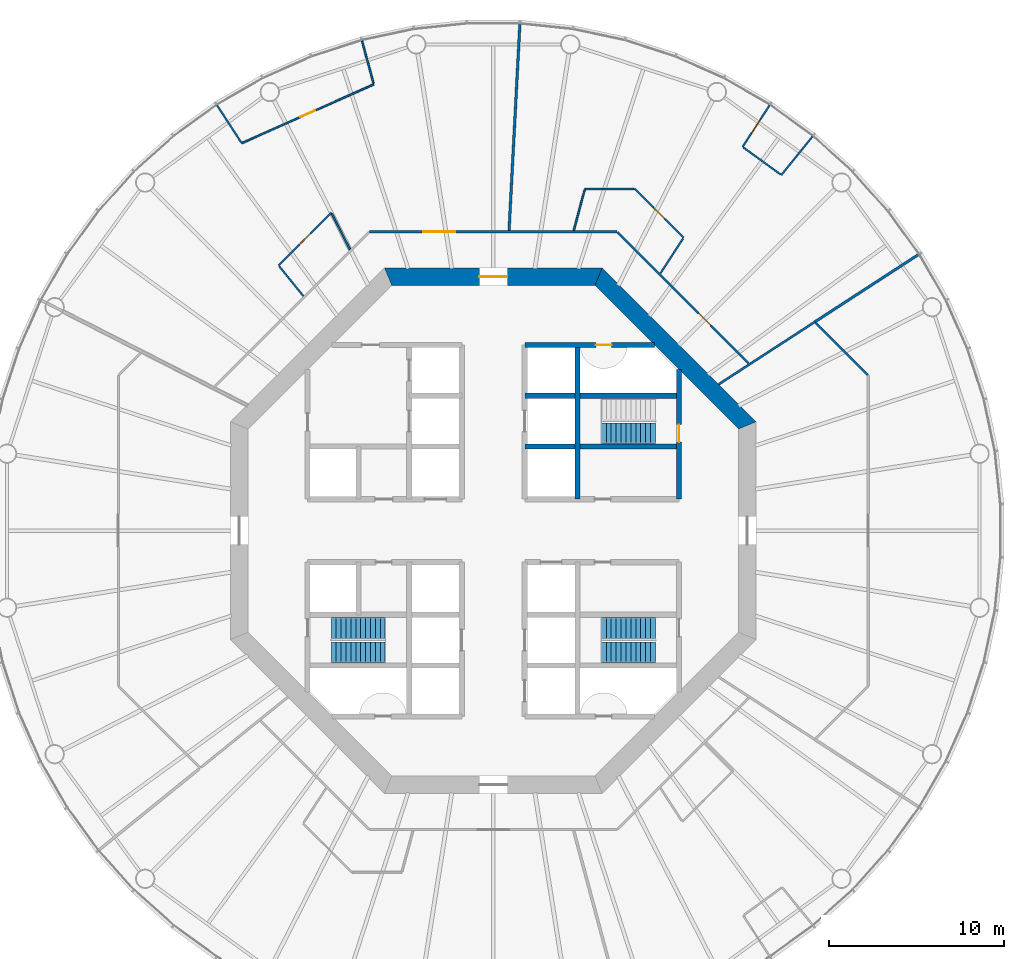
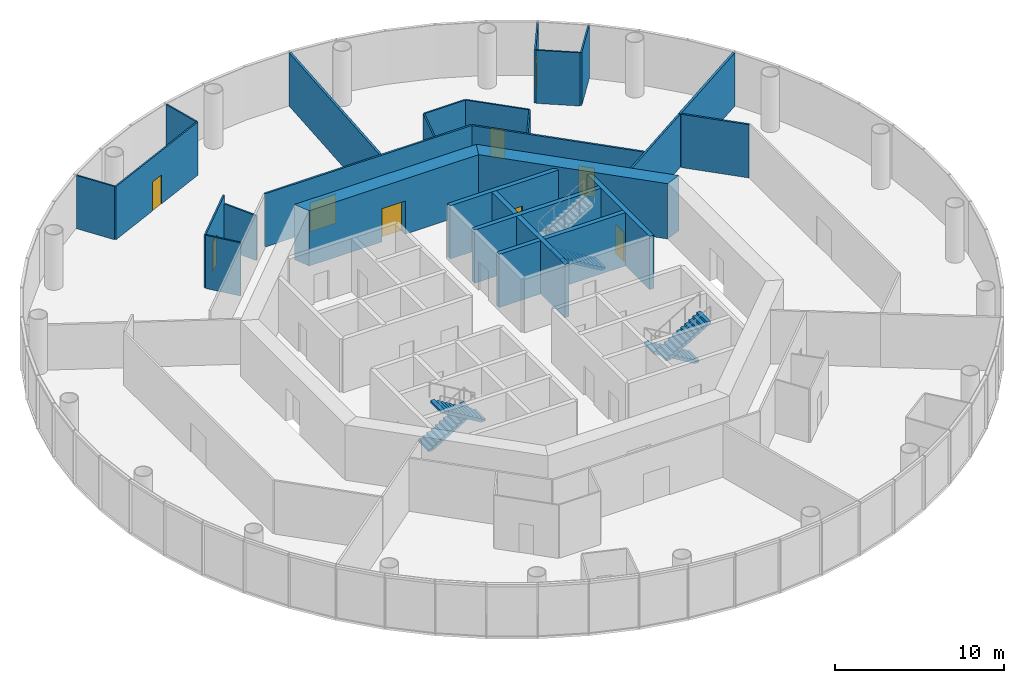
# One storey, part 5 of 13: 26 walls, 9 doors, 5 stair flights, 9 openings, 3 elements without a shape of their own.
"""IFC4 building model written with IfcOpenShell, lengths in metres."""

from ifc_helpers import new_model, si_unit, direction, frame, frame_2d, origin, place, context, subcontext, project, spatial, polyline, rectangle, outline, extrude, material, layer, layer_set, type_object, element, fill, aggregate, save


model = new_model("IFC4")

# Units and contexts
model_context = context("Model", 3, precision=1e-05, world=origin(), true_north=direction((0.0, 1.0)))
body_context = subcontext(model_context, "Body", "Model", "MODEL_VIEW")
ifc_project = project(units=[si_unit("LENGTHUNIT", "METRE"), si_unit("AREAUNIT", "SQUARE_METRE"), si_unit("VOLUMEUNIT", "CUBIC_METRE"), si_unit("PLANEANGLEUNIT", "RADIAN"), si_unit("MASSUNIT", "GRAM", prefix="KILO")], contexts=[model_context])

# Site, building, storey
site_placement = place(None, origin())
site = spatial("IfcSite", under=ifc_project, at=site_placement, CompositionType="ELEMENT")
building_placement = place(site_placement, origin())
building = spatial("IfcBuilding", under=site, at=building_placement, Name="Entoto Ring Tower", CompositionType="ELEMENT")
storey_placement = place(building_placement, frame((0.0, 0.0, 172.0)))
storey = spatial("IfcBuildingStorey", under=building, at=storey_placement, Name="L39", CompositionType="ELEMENT", Elevation=172.0)

# Wall, opening, door
ifc_material_1 = material(Name="Concrete C40/50", Category="concrete")
ifc_layer_1 = layer(ifc_material_1, 0.300048828125)
ifc_layer_set_1 = layer_set([ifc_layer_1], Name="Concrete C40/50")
wall_type_1 = type_object("IfcWallType", Name="Core enclosure wall 300 mm reinforced concrete", PredefinedType="SOLIDWALL", material=ifc_layer_set_1)
wall_1_placement = place(storey_placement, frame((100.60009765625, 81.800048828125, 0.0), z_axis=(0.0, 0.0, 1.0), x_axis=(0.0, 1.0, 0.0)))
wall_1 = element("IfcWall", 1, at=wall_1_placement, inside=storey, type_object=wall_type_1, Name="wall-L39-002", PredefinedType="SOLIDWALL", context=body_context, shape_type="SweptSolid", body=[
    extrude(rectangle(XDim=7.39892578125, YDim=0.300048828125, at=frame_2d((3.699462890625, 0.0))), origin(), (0.0, 0.0, 1.0), 3.85009765625),
])
opening_1_placement = place(wall_1_placement, frame((3.25, 0.0, 0.0)))
opening_1 = element("IfcOpeningElement", 2, at=opening_1_placement, cuts=wall_1, Name="Opening K-52", PredefinedType="OPENING", context=body_context, shape_type="SweptSolid", body=[
    extrude(rectangle(XDim=1.0, YDim=2.10009765625, at=frame_2d((0.5, 1.050048828125))), frame((0.0, 0.16015625, 0.0), z_axis=(0.0, -1.0, 0.0), x_axis=(1.0, 0.0, 0.0)), (0.0, 0.0, 1.0), 0.320068359375),
])
ifc_material_2 = material(Name="Steel door leaf, fire rated", Category="steel")
ifc_layer_2 = layer(ifc_material_2, 0.050048828125)
ifc_layer_set_2 = layer_set([ifc_layer_2], Name="Steel door leaf, fire rated")
door_type_1 = type_object("IfcDoorType", Name="Fire door FD60 1000 x 2100 single leaf", OperationType="NOTDEFINED", PredefinedType="DOOR", material=ifc_layer_set_2)
door_1_placement = place(opening_1_placement, origin())
door_1 = element("IfcDoor", 3, at=door_1_placement, inside=storey, type_object=door_type_1, Name="Door K-52", OperationType="SINGLE_SWING_LEFT", OverallHeight=2.10009765625, OverallWidth=1.0, PredefinedType="DOOR", context=body_context, shape_type="SweptSolid", body=[
    extrude(rectangle(XDim=1.0, YDim=2.10009765625, at=frame_2d((0.5, 1.050048828125))), frame((0.0, 0.02490234375, 0.0), z_axis=(0.0, -1.0, 0.0), x_axis=(1.0, 0.0, 0.0)), (0.0, 0.0, 1.0), 0.050048828125),
])
fill(opening_1, door_1)

# Walls
for number, where, z_axis, x_axis, name in (
    (4, (94.800048828125, 81.800048828125, 0.0), (0.0, 0.0, 1.0), (0.0, 1.0, 0.0), "wall-L39-004"),
    (5, (91.800048828125, 84.800048828125, 0.0), (0.0, 0.0, 1.0), (1.0, 0.0, 0.0), "wall-L39-026"),
    (6, (91.800048828125, 87.699951171875, 0.0), (0.0, 0.0, 1.0), (1.0, 0.0, 0.0), "wall-L39-028"),
):
    element("IfcWall", number, at=place(storey_placement, frame(where, z_axis=z_axis, x_axis=x_axis)), inside=storey, type_object=wall_type_1, Name=name, PredefinedType="SOLIDWALL", context=body_context, shape_type="SweptSolid", body=[
        extrude(rectangle(XDim=8.800048828125, YDim=0.300048828125, at=frame_2d((4.39990234375, 0.0))), origin(), (0.0, 0.0, 1.0), 3.85009765625),
    ])

# Wall, opening, door
wall_2_placement = place(storey_placement, frame((91.800048828125, 90.60009765625, 0.0), z_axis=(0.0, 0.0, 1.0), x_axis=(1.0, 0.0, 0.0)))
wall_2 = element("IfcWall", 7, at=wall_2_placement, inside=storey, type_object=wall_type_1, Name="wall-L39-030", PredefinedType="SOLIDWALL", context=body_context, shape_type="SweptSolid", body=[
    extrude(rectangle(XDim=7.39892578125, YDim=0.300048828125, at=frame_2d((3.699462890625, 0.0))), origin(), (0.0, 0.0, 1.0), 3.85009765625),
])
opening_2_placement = place(wall_2_placement, frame((4.050048828125, 0.0, 0.0)))
opening_2 = element("IfcOpeningElement", 8, at=opening_2_placement, cuts=wall_2, Name="Opening K-60", PredefinedType="OPENING", context=body_context, shape_type="SweptSolid", body=[
    extrude(rectangle(XDim=0.89990234375, YDim=2.10009765625, at=frame_2d((0.449951171875, 1.050048828125))), frame((0.0, 0.16015625, 0.0), z_axis=(0.0, -1.0, 0.0), x_axis=(1.0, 0.0, 0.0)), (0.0, 0.0, 1.0), 0.320068359375),
])
ifc_material_3 = material(Name="Steel door leaf, fire rated", Category="steel")
ifc_layer_3 = layer(ifc_material_3, 0.050048828125)
ifc_layer_set_3 = layer_set([ifc_layer_3], Name="Steel door leaf, fire rated")
door_type_2 = type_object("IfcDoorType", Name="Riser door FD60 900 x 2100 single leaf", OperationType="NOTDEFINED", PredefinedType="DOOR", material=ifc_layer_set_3)
door_2_placement = place(opening_2_placement, frame((0.89990234375, 0.0, 0.0), z_axis=(0.0, 0.0, 1.0), x_axis=(-1.0, 0.0, 0.0)))
door_2 = element("IfcDoor", 9, at=door_2_placement, inside=storey, type_object=door_type_2, Name="Door K-60", OperationType="SINGLE_SWING_RIGHT", OverallHeight=2.10009765625, OverallWidth=0.89990234375, PredefinedType="DOOR", context=body_context, shape_type="SweptSolid", body=[
    extrude(rectangle(XDim=0.89990234375, YDim=2.10009765625, at=frame_2d((0.449951171875, 1.050048828125))), frame((0.0, 0.02490234375, 0.0), z_axis=(0.0, -1.0, 0.0), x_axis=(1.0, 0.0, 0.0)), (0.0, 0.0, 1.0), 0.050048828125),
])
fill(opening_2, door_2)

# Wall
ifc_material_4 = material(Name="Concrete C50/60", Category="concrete")
ifc_layer_4 = layer(ifc_material_4, 1.0)
ifc_layer_set_4 = layer_set([ifc_layer_4], Name="Concrete C50/60")
wall_type_2 = type_object("IfcWallType", Name="Core shear wall 1000 mm reinforced concrete C50/60", PredefinedType="SHEAR", material=ifc_layer_set_4)
wall_3_placement = place(storey_placement, frame((104.5, 86.006103515625, 0.0), z_axis=(0.0, 0.0, 1.0), x_axis=(-0.707106781187, 0.707106781187, 0.0)))
element("IfcWall", 10, at=wall_3_placement, inside=storey, type_object=wall_type_2, Name="wall-L39-core-1", PredefinedType="SHEAR", context=body_context, shape_type="SweptSolid", body=[
    extrude(outline(polyline([(-0.20703125, -0.5), (12.21923828125, -0.5), (11.80517578125, 0.5), (0.20703125, 0.5), (-0.20703125, -0.5)])), origin(), (0.0, 0.0, 1.0), 4.0),
])

# Wall, opening, door
wall_4_placement = place(storey_placement, frame((96.006103515625, 94.5, 0.0), z_axis=(0.0, 0.0, 1.0), x_axis=(-1.0, 0.0, 0.0)))
wall_4 = element("IfcWall", 11, at=wall_4_placement, inside=storey, type_object=wall_type_2, Name="wall-L39-core-2", PredefinedType="SHEAR", context=body_context, shape_type="SweptSolid", body=[
    extrude(outline(polyline([(-0.20703125, -0.5), (12.21923828125, -0.5), (11.80517578125, 0.5), (0.20703125, 0.5), (-0.20703125, -0.5)])), origin(), (0.0, 0.0, 1.0), 4.0),
])
opening_3_placement = place(wall_4_placement, frame((5.2060546875, 0.0, 0.0)))
opening_3 = element("IfcOpeningElement", 12, at=opening_3_placement, cuts=wall_4, Name="Opening K-02", PredefinedType="OPENING", context=body_context, shape_type="SweptSolid", body=[
    extrude(rectangle(XDim=1.60009765625, YDim=2.39990234375, at=frame_2d((0.800048828125, 1.199951171875))), frame((0.0, 0.510009765625, 0.0), z_axis=(0.0, -1.0, 0.0), x_axis=(1.0, 0.0, 0.0)), (0.0, 0.0, 1.0), 1.02001953125),
])
ifc_material_5 = material(Name="Steel door leaf, fire rated", Category="steel")
ifc_layer_5 = layer(ifc_material_5, 0.050048828125)
ifc_layer_set_5 = layer_set([ifc_layer_5], Name="Steel door leaf, fire rated")
door_type_3 = type_object("IfcDoorType", Name="Entrance door FD60 1600 x 2400 double leaf", OperationType="DOUBLE_DOOR_SINGLE_SWING", PredefinedType="DOOR", material=ifc_layer_set_5)
door_3_placement = place(opening_3_placement, origin())
door_3 = element("IfcDoor", 13, at=door_3_placement, inside=storey, type_object=door_type_3, Name="Entrance door K-02", OperationType="DOUBLE_DOOR_SINGLE_SWING", OverallHeight=2.39990234375, OverallWidth=1.60009765625, PredefinedType="DOOR", context=body_context, shape_type="SweptSolid", body=[
    extrude(rectangle(XDim=1.60009765625, YDim=2.39990234375, at=frame_2d((0.800048828125, 1.199951171875))), frame((0.0, 0.02490234375, 0.0), z_axis=(0.0, -1.0, 0.0), x_axis=(1.0, 0.0, 0.0)), (0.0, 0.0, 1.0), 0.050048828125),
])
fill(opening_3, door_3)

ifc_material_6 = material(Name="Fire-resisting plasterboard on steel studs", Category="steel")
ifc_layer_6 = layer(ifc_material_6, 0.125)
ifc_layer_set_6 = layer_set([ifc_layer_6], Name="Fire-resisting plasterboard on steel studs")
wall_type_3 = type_object("IfcWallType", Name="Corridor wall 125 mm one-hour plasterboard on steel studs", PredefinedType="PARTITIONING", material=ifc_layer_set_6)
wall_5_placement = place(storey_placement, frame((82.9326171875, 97.0625, 0.0), z_axis=(0.0, 0.0, 1.0), x_axis=(1.0, 0.0, 0.0)))
wall_5 = element("IfcWall", 14, at=wall_5_placement, inside=storey, type_object=wall_type_3, Name="partition-L39-004", PredefinedType="PARTITIONING", context=body_context, shape_type="SweptSolid", body=[
    extrude(rectangle(XDim=14.134765625, YDim=0.125, at=frame_2d((7.0673828125, 0.0))), origin(), (0.0, 0.0, 1.0), 3.85009765625),
])
opening_4_placement = place(wall_5_placement, frame((3.080810546875, 0.0, 0.0)))
opening_4 = element("IfcOpeningElement", 15, at=opening_4_placement, cuts=wall_5, Name="Opening A17-D06", PredefinedType="OPENING", context=body_context, shape_type="SweptSolid", body=[
    extrude(rectangle(XDim=1.800048828125, YDim=2.10009765625, at=frame_2d((0.89990234375, 1.050048828125))), frame((0.0, 0.072509765625, 0.0), z_axis=(0.0, -1.0, 0.0), x_axis=(1.0, 0.0, 0.0)), (0.0, 0.0, 1.0), 0.14501953125),
])
ifc_material_7 = material(Name="Fire-resisting timber door set", Category="wood")
door_type_4 = type_object("IfcDoorType", Name="Door 1800 x 2100 double leaf FD30S fire door", OperationType="DOUBLE_DOOR_SINGLE_SWING", PredefinedType="DOOR", material=ifc_material_7)
door_4_placement = place(opening_4_placement, origin())
door_4 = element("IfcDoor", 16, at=door_4_placement, inside=storey, type_object=door_type_4, Name="Door A17-D06", OperationType="DOUBLE_DOOR_SINGLE_SWING", OverallHeight=2.10009765625, OverallWidth=1.800048828125, PredefinedType="DOOR", context=body_context, shape_type="SweptSolid", body=[
    extrude(rectangle(XDim=1.800048828125, YDim=2.10009765625, at=frame_2d((0.89990234375, 1.050048828125))), frame((0.0, 0.02490234375, 0.0), z_axis=(0.0, -1.0, 0.0), x_axis=(1.0, 0.0, 0.0)), (0.0, 0.0, 1.0), 0.050048828125),
])
fill(opening_4, door_4)

wall_6_placement = place(storey_placement, frame((104.574951171875, 89.554931640625, 0.0), z_axis=(0.0, 0.0, 1.0), x_axis=(-0.707095235926, 0.707118326258, 0.0)))
wall_6 = element("IfcWall", 17, at=wall_6_placement, inside=storey, type_object=wall_type_3, Name="partition-L39-007", PredefinedType="PARTITIONING", context=body_context, shape_type="SweptSolid", body=[
    extrude(rectangle(XDim=10.5732421875, YDim=0.125, at=frame_2d((5.28662109375, 0.0))), origin(), (0.0, 0.0, 1.0), 3.85009765625),
])
opening_5_placement = place(wall_6_placement, frame((3.0498046875, 0.0, 0.0)))
opening_5 = element("IfcOpeningElement", 18, at=opening_5_placement, cuts=wall_6, Name="Opening A17-D03", PredefinedType="OPENING", context=body_context, shape_type="SweptSolid", body=[
    extrude(rectangle(XDim=1.0, YDim=2.10009765625, at=frame_2d((0.5, 1.050048828125))), frame((0.0, 0.072509765625, 0.0), z_axis=(0.0, -1.0, 0.0), x_axis=(1.0, 0.0, 0.0)), (0.0, 0.0, 1.0), 0.14501953125),
])
ifc_material_8 = material(Name="Fire-resisting timber door set", Category="wood")
door_type_5 = type_object("IfcDoorType", Name="Door 1000 x 2100 single leaf FD30S fire door", OperationType="NOTDEFINED", PredefinedType="DOOR", material=ifc_material_8)
door_5_placement = place(opening_5_placement, frame((1.0, 0.0, 0.0), z_axis=(0.0, 0.0, 1.0), x_axis=(-1.0, 0.0, 0.0)))
door_5 = element("IfcDoor", 19, at=door_5_placement, inside=storey, type_object=door_type_5, Name="Door A17-D03", OperationType="SINGLE_SWING_LEFT", OverallHeight=2.10009765625, OverallWidth=1.0, PredefinedType="DOOR", context=body_context, shape_type="SweptSolid", body=[
    extrude(rectangle(XDim=1.0, YDim=2.10009765625, at=frame_2d((0.5, 1.050048828125))), frame((0.0, 0.02490234375, 0.0), z_axis=(0.0, -1.0, 0.0), x_axis=(1.0, 0.0, 0.0)), (0.0, 0.0, 1.0), 0.050048828125),
])
fill(opening_5, door_5)

# Walls
wall_7_placement = place(storey_placement, frame((102.861083984375, 88.35205078125, 0.0), z_axis=(0.0, 0.0, 1.0), x_axis=(0.838666042477, 0.544646003561, 0.0)))
element("IfcWall", 20, at=wall_7_placement, inside=storey, type_object=wall_type_3, Name="partition-L39-011", PredefinedType="PARTITIONING", context=body_context, shape_type="SweptSolid", body=[
    extrude(rectangle(XDim=6.543212890625, YDim=0.125, at=frame_2d((3.271484375, 0.0))), origin(), (0.0, 0.0, 1.0), 3.85009765625),
])
wall_8_placement = place(storey_placement, frame((111.368896484375, 88.895263671875, 0.0), z_axis=(0.0, 0.0, 1.0), x_axis=(-0.707106781187, 0.707106781187, 0.0)))
element("IfcWall", 21, at=wall_8_placement, inside=storey, type_object=wall_type_3, Name="partition-L39-015", PredefinedType="PARTITIONING", context=body_context, shape_type="SweptSolid", body=[
    extrude(rectangle(XDim=4.181640625, YDim=0.125, at=frame_2d((2.0908203125, 0.0))), origin(), (0.0, 0.0, 1.0), 3.85009765625),
])

# Wall, opening, door
ifc_material_9 = material(Name="Plasterboard on steel studs", Category="steel")
ifc_layer_7 = layer(ifc_material_9, 0.10009765625)
ifc_layer_set_7 = layer_set([ifc_layer_7], Name="Plasterboard on steel studs")
wall_type_4 = type_object("IfcWallType", Name="Partition 100 mm plasterboard on steel studs", PredefinedType="PARTITIONING", material=ifc_layer_set_7)
wall_9_placement = place(storey_placement, frame((75.637939453125, 102.11572265625, 0.0), z_axis=(0.0, 0.0, 1.0), x_axis=(0.913541661289, 0.40674516972, 0.0)))
wall_9 = element("IfcWall", 22, at=wall_9_placement, inside=storey, type_object=wall_type_4, Name="partition-L39-023", PredefinedType="PARTITIONING", context=body_context, shape_type="SweptSolid", body=[
    extrude(rectangle(XDim=8.250244140625, YDim=0.10009765625, at=frame_2d((4.125, 0.0))), origin(), (0.0, 0.0, 1.0), 3.85009765625),
])
opening_6_placement = place(wall_9_placement, frame((3.67529296875, 0.0, 0.0)))
opening_6 = element("IfcOpeningElement", 23, at=opening_6_placement, cuts=wall_9, Name="Opening A17-D08", PredefinedType="OPENING", context=body_context, shape_type="SweptSolid", body=[
    extrude(rectangle(XDim=0.89990234375, YDim=2.10009765625, at=frame_2d((0.449951171875, 1.050048828125))), frame((0.0, 0.06005859375, 0.0), z_axis=(0.0, -1.0, 0.0), x_axis=(1.0, 0.0, 0.0)), (0.0, 0.0, 1.0), 0.1201171875),
])
ifc_material_10 = material(Name="Veneered timber door leaf in timber frame", Category="wood")
door_type_6 = type_object("IfcDoorType", Name="Door 900 x 2100 single leaf timber veneer", OperationType="NOTDEFINED", PredefinedType="DOOR", material=ifc_material_10)
door_6_placement = place(opening_6_placement, origin())
door_6 = element("IfcDoor", 24, at=door_6_placement, inside=storey, type_object=door_type_6, Name="Door A17-D08", OperationType="SINGLE_SWING_RIGHT", OverallHeight=2.10009765625, OverallWidth=0.89990234375, PredefinedType="DOOR", context=body_context, shape_type="SweptSolid", body=[
    extrude(rectangle(XDim=0.89990234375, YDim=2.10009765625, at=frame_2d((0.449951171875, 1.050048828125))), frame((0.0, 0.02490234375, 0.0), z_axis=(0.0, -1.0, 0.0), x_axis=(1.0, 0.0, 0.0)), (0.0, 0.0, 1.0), 0.050048828125),
])
fill(opening_6, door_6)

wall_10_placement = place(storey_placement, frame((77.7412109375, 95.13818359375, 0.0), z_axis=(0.0, 0.0, 1.0), x_axis=(0.707106781187, 0.707106781187, 0.0)))
wall_10 = element("IfcWall", 25, at=wall_10_placement, inside=storey, type_object=wall_type_4, Name="partition-L39-024", PredefinedType="PARTITIONING", context=body_context, shape_type="SweptSolid", body=[
    extrude(rectangle(XDim=4.258544921875, YDim=0.10009765625, at=frame_2d((2.12939453125, 0.0))), origin(), (0.0, 0.0, 1.0), 3.85009765625),
])
opening_7_placement = place(wall_10_placement, frame((1.67919921875, 0.0, 0.0)))
opening_7 = element("IfcOpeningElement", 26, at=opening_7_placement, cuts=wall_10, Name="Opening A17-D07", PredefinedType="OPENING", context=body_context, shape_type="SweptSolid", body=[
    extrude(rectangle(XDim=0.89990234375, YDim=2.10009765625, at=frame_2d((0.449951171875, 1.050048828125))), frame((0.0, 0.06005859375, 0.0), z_axis=(0.0, -1.0, 0.0), x_axis=(1.0, 0.0, 0.0)), (0.0, 0.0, 1.0), 0.1201171875),
])
door_7_placement = place(opening_7_placement, frame((0.89990234375, 0.0, 0.0), z_axis=(0.0, 0.0, 1.0), x_axis=(-1.0, 0.0, 0.0)))
door_7 = element("IfcDoor", 27, at=door_7_placement, inside=storey, type_object=door_type_6, Name="Door A17-D07", OperationType="SINGLE_SWING_LEFT", OverallHeight=2.10009765625, OverallWidth=0.89990234375, PredefinedType="DOOR", context=body_context, shape_type="SweptSolid", body=[
    extrude(rectangle(XDim=0.89990234375, YDim=2.10009765625, at=frame_2d((0.449951171875, 1.050048828125))), frame((0.0, 0.02490234375, 0.0), z_axis=(0.0, -1.0, 0.0), x_axis=(1.0, 0.0, 0.0)), (0.0, 0.0, 1.0), 0.050048828125),
])
fill(opening_7, door_7)

wall_11_placement = place(storey_placement, frame((100.859130859375, 96.7216796875, 0.0), z_axis=(0.0, 0.0, 1.0), x_axis=(-0.707137819827, 0.707075741184, 0.0)))
wall_11 = element("IfcWall", 28, at=wall_11_placement, inside=storey, type_object=wall_type_4, Name="partition-L39-026", PredefinedType="PARTITIONING", context=body_context, shape_type="SweptSolid", body=[
    extrude(rectangle(XDim=3.932861328125, YDim=0.10009765625, at=frame_2d((1.96630859375, 0.0))), origin(), (0.0, 0.0, 1.0), 3.85009765625),
])
opening_8_placement = place(wall_11_placement, frame((1.516357421875, 0.0, 0.0)))
opening_8 = element("IfcOpeningElement", 29, at=opening_8_placement, cuts=wall_11, Name="Opening A17-D04", PredefinedType="OPENING", context=body_context, shape_type="SweptSolid", body=[
    extrude(rectangle(XDim=0.89990234375, YDim=2.10009765625, at=frame_2d((0.449951171875, 1.050048828125))), frame((0.0, 0.06005859375, 0.0), z_axis=(0.0, -1.0, 0.0), x_axis=(1.0, 0.0, 0.0)), (0.0, 0.0, 1.0), 0.1201171875),
])
door_8_placement = place(opening_8_placement, origin())
door_8 = element("IfcDoor", 30, at=door_8_placement, inside=storey, type_object=door_type_6, Name="Door A17-D04", OperationType="SINGLE_SWING_LEFT", OverallHeight=2.10009765625, OverallWidth=0.89990234375, PredefinedType="DOOR", context=body_context, shape_type="SweptSolid", body=[
    extrude(rectangle(XDim=0.89990234375, YDim=2.10009765625, at=frame_2d((0.449951171875, 1.050048828125))), frame((0.0, 0.02490234375, 0.0), z_axis=(0.0, -1.0, 0.0), x_axis=(1.0, 0.0, 0.0)), (0.0, 0.0, 1.0), 0.050048828125),
])
fill(opening_8, door_8)

# Wall
wall_12_placement = place(storey_placement, frame((95.2255859375, 99.50244140625, 0.0), z_axis=(0.0, 0.0, 1.0), x_axis=(1.0, 0.0, 0.0)))
element("IfcWall", 31, at=wall_12_placement, inside=storey, type_object=wall_type_4, Name="partition-L39-028", PredefinedType="PARTITIONING", context=body_context, shape_type="SweptSolid", body=[
    extrude(rectangle(XDim=2.817626953125, YDim=0.10009765625, at=frame_2d((1.40869140625, 0.0))), origin(), (0.0, 0.0, 1.0), 3.85009765625),
])

# Wall, opening, door
wall_13_placement = place(storey_placement, frame((104.22607421875, 101.906005859375, 0.0), z_axis=(0.0, 0.0, 1.0), x_axis=(0.544650522467, 0.838663107795, 0.0)))
wall_13 = element("IfcWall", 32, at=wall_13_placement, inside=storey, type_object=wall_type_4, Name="partition-L39-030", PredefinedType="PARTITIONING", context=body_context, shape_type="SweptSolid", body=[
    extrude(rectangle(XDim=2.820068359375, YDim=0.10009765625, at=frame_2d((1.41015625, 0.0))), origin(), (0.0, 0.0, 1.0), 3.85009765625),
])
opening_9_placement = place(wall_13_placement, frame((0.9599609375, 0.0, 0.0)))
opening_9 = element("IfcOpeningElement", 33, at=opening_9_placement, cuts=wall_13, Name="Opening A17-D05", PredefinedType="OPENING", context=body_context, shape_type="SweptSolid", body=[
    extrude(rectangle(XDim=0.89990234375, YDim=2.10009765625, at=frame_2d((0.449951171875, 1.050048828125))), frame((0.0, 0.06005859375, 0.0), z_axis=(0.0, -1.0, 0.0), x_axis=(1.0, 0.0, 0.0)), (0.0, 0.0, 1.0), 0.1201171875),
])
door_9_placement = place(opening_9_placement, frame((0.89990234375, 0.0, 0.0), z_axis=(0.0, 0.0, 1.0), x_axis=(-1.0, 0.0, 0.0)))
door_9 = element("IfcDoor", 34, at=door_9_placement, inside=storey, type_object=door_type_6, Name="Door A17-D05", OperationType="SINGLE_SWING_LEFT", OverallHeight=2.10009765625, OverallWidth=0.89990234375, PredefinedType="DOOR", context=body_context, shape_type="SweptSolid", body=[
    extrude(rectangle(XDim=0.89990234375, YDim=2.10009765625, at=frame_2d((0.449951171875, 1.050048828125))), frame((0.0, 0.02490234375, 0.0), z_axis=(0.0, -1.0, 0.0), x_axis=(1.0, 0.0, 0.0)), (0.0, 0.0, 1.0), 0.050048828125),
])
fill(opening_9, door_9)

# Walls
wall_14_placement = place(storey_placement, frame((106.437744140625, 100.299072265625, 0.0), z_axis=(0.0, 0.0, 1.0), x_axis=(0.629340183433, 0.777129933484, 0.0)))
element("IfcWall", 35, at=wall_14_placement, inside=storey, type_object=wall_type_4, Name="partition-L39-031", PredefinedType="PARTITIONING", context=body_context, shape_type="SweptSolid", body=[
    extrude(rectangle(XDim=2.81982421875, YDim=0.10009765625, at=frame_2d((1.409912109375, 0.0))), origin(), (0.0, 0.0, 1.0), 3.85009765625),
])
wall_15_placement = place(storey_placement, frame((106.3974609375, 100.328369140625, 0.0), z_axis=(0.0, 0.0, 1.0), x_axis=(-0.809016541614, 0.587785875463, 0.0)))
element("IfcWall", 36, at=wall_15_placement, inside=storey, type_object=wall_type_4, Name="partition-L39-036", PredefinedType="PARTITIONING", context=body_context, shape_type="SweptSolid", body=[
    extrude(rectangle(XDim=2.63427734375, YDim=0.10009765625, at=frame_2d((1.317138671875, 0.0))), origin(), (0.0, 0.0, 1.0), 3.85009765625),
])
for number, where, z_axis, x_axis, name in (
    (37, (75.611083984375, 102.156982421875, 0.0), (0.0, 0.0, 1.0), (-0.544692145423, 0.838636075252, 0.0), "partition-L39-039"),
    (38, (83.162109375, 105.51904296875, 0.0), (0.0, 0.0, 1.0), (-0.258795794032, 0.965932056095, 0.0), "partition-L39-040"),
):
    element("IfcWall", number, at=place(storey_placement, frame(where, z_axis=z_axis, x_axis=x_axis)), inside=storey, type_object=wall_type_4, Name=name, PredefinedType="PARTITIONING", context=body_context, shape_type="SweptSolid", body=[
        extrude(rectangle(XDim=2.520751953125, YDim=0.10009765625, at=frame_2d((1.26025390625, 0.0))), origin(), (0.0, 0.0, 1.0), 3.85009765625),
    ])
wall_16_placement = place(storey_placement, frame((94.592041015625, 97.1376953125, 0.0), z_axis=(0.0, 0.0, 1.0), x_axis=(0.258776761059, 0.965937155273, 0.0)))
element("IfcWall", 39, at=wall_16_placement, inside=storey, type_object=wall_type_4, Name="partition-L39-041", PredefinedType="PARTITIONING", context=body_context, shape_type="SweptSolid", body=[
    extrude(rectangle(XDim=2.400146484375, YDim=0.10009765625, at=frame_2d((1.2001953125, 0.0))), origin(), (0.0, 0.0, 1.0), 3.85009765625),
])
wall_17_placement = place(storey_placement, frame((99.541015625, 94.69189453125, 0.0), z_axis=(0.0, 0.0, 1.0), x_axis=(0.544633657849, 0.838674059893, 0.0)))
element("IfcWall", 40, at=wall_17_placement, inside=storey, type_object=wall_type_4, Name="partition-L39-043", PredefinedType="PARTITIONING", context=body_context, shape_type="SweptSolid", body=[
    extrude(rectangle(XDim=2.371337890625, YDim=0.10009765625, at=frame_2d((1.185546875, 0.0))), origin(), (0.0, 0.0, 1.0), 3.85009765625),
])
wall_18_placement = place(storey_placement, frame((79.16015625, 93.385986328125, 0.0), z_axis=(0.0, 0.0, 1.0), x_axis=(-0.629261932539, 0.777193296585, 0.0)))
element("IfcWall", 41, at=wall_18_placement, inside=storey, type_object=wall_type_4, Name="partition-L39-047", PredefinedType="PARTITIONING", context=body_context, shape_type="SweptSolid", body=[
    extrude(rectangle(XDim=2.204833984375, YDim=0.10009765625, at=frame_2d((1.1025390625, 0.0))), origin(), (0.0, 0.0, 1.0), 3.85009765625),
])
ifc_material_11 = material(Name="Plasterboard on steel studs", Category="steel")
ifc_layer_8 = layer(ifc_material_11, 0.10009765625)
ifc_layer_set_8 = layer_set([ifc_layer_8], Name="Plasterboard on steel studs")
wall_type_5 = type_object("IfcWallType", Name="Partition 100 mm plasterboard on steel studs, 3250 mm high", PredefinedType="PARTITIONING", material=ifc_layer_set_8)
wall_19_placement = place(storey_placement, frame((81.818115234375, 96.05810546875, 0.0), z_axis=(0.0, 0.0, 1.0), x_axis=(-0.454015670572, 0.890993698561, 0.0)))
element("IfcWall", 42, at=wall_19_placement, inside=storey, type_object=wall_type_5, Name="partition-L39-045", PredefinedType="PARTITIONING", context=body_context, shape_type="SweptSolid", body=[
    extrude(rectangle(XDim=2.2783203125, YDim=0.10009765625, at=frame_2d((1.13916015625, 0.0))), origin(), (0.0, 0.0, 1.0), 3.25),
])
ifc_material_12 = material(Name="Fire-resisting acoustic plasterboard on steel studs", Category="steel")
ifc_layer_9 = layer(ifc_material_12, 0.14990234375)
ifc_layer_set_9 = layer_set([ifc_layer_9], Name="Fire-resisting acoustic plasterboard on steel studs")
wall_type_6 = type_object("IfcWallType", Name="Party wall 150 mm one-hour acoustic plasterboard on steel studs", PredefinedType="PARTITIONING", material=ifc_layer_set_9)
wall_20_placement = place(storey_placement, frame((90.897705078125, 97.12890625, 0.0), z_axis=(0.0, 0.0, 1.0), x_axis=(0.052338156275, 0.998629419453, 0.0)))
element("IfcWall", 43, at=wall_20_placement, inside=storey, type_object=wall_type_6, Name="partition-L39-017", PredefinedType="PARTITIONING", context=body_context, shape_type="SweptSolid", body=[
    extrude(rectangle(XDim=11.78759765625, YDim=0.14990234375, at=frame_2d((5.893798828125, 0.0))), origin(), (0.0, 0.0, 1.0), 3.85009765625),
])
wall_21_placement = place(storey_placement, frame((108.35107421875, 91.917236328125, 0.0), z_axis=(0.0, 0.0, 1.0), x_axis=(0.83865216768, 0.544667367891, 0.0)))
element("IfcWall", 44, at=wall_21_placement, inside=storey, type_object=wall_type_6, Name="partition-L39-021", PredefinedType="PARTITIONING", context=body_context, shape_type="SweptSolid", body=[
    extrude(rectangle(XDim=7.058837890625, YDim=0.14990234375, at=frame_2d((3.529296875, 0.0))), origin(), (0.0, 0.0, 1.0), 3.85009765625),
])

# Stair, stair flight
ifc_material_13 = material(Name="Concrete C40/50", Category="concrete")
stair_type = type_object("IfcStairType", Name="Exit stair 1200 mm dog-leg reinforced concrete", PredefinedType="HALF_TURN_STAIR", material=ifc_material_13)
stair_1_placement = place(storey_placement, origin())
stair_1 = element("IfcStair", 45, at=stair_1_placement, inside=storey, type_object=stair_type, Name="Exit stair 1", PredefinedType="HALF_TURN_STAIR")
ifc_material_14 = material(Name="Concrete C40/50", Category="concrete")
stair_flight_type = type_object("IfcStairFlightType", Name="Stair flight 1200 mm reinforced concrete", PredefinedType="STRAIGHT", material=ifc_material_14)
stair_flight_1_placement = place(storey_placement, frame((99.25, 85.550048828125, 0.0), z_axis=(0.0, 0.0, 1.0), x_axis=(-1.0, 0.0, 0.0)))
stair_flight_1 = element("IfcStairFlight", 46, at=stair_flight_1_placement, type_object=stair_flight_type, Name="ST1 flight 1", NumberOfRisers=12, NumberOfTreads=11, PredefinedType="STRAIGHT", RiserHeight=0.166666667, TreadLength=0.28, context=body_context, shape_type="SweptSolid", body=[
    extrude(outline(polyline([(0.0, 0.0), (0.0, 0.166748046875), (0.280029296875, 0.166748046875), (0.280029296875, 0.333251953125), (0.56005859375, 0.333251953125), (0.56005859375, 0.5), (0.840087890625, 0.5), (0.840087890625, 0.666748046875), (1.1201171875, 0.666748046875), (1.1201171875, 0.833251953125), (1.39990234375, 0.833251953125), (1.39990234375, 1.0), (1.679931640625, 1.0), (1.679931640625, 1.166748046875), (1.9599609375, 1.166748046875), (1.9599609375, 1.333251953125), (2.239990234375, 1.333251953125), (2.239990234375, 1.5), (2.52001953125, 1.5), (2.52001953125, 1.666748046875), (2.800048828125, 1.666748046875), (2.800048828125, 1.833251953125), (3.080078125, 1.833251953125), (3.080078125, 2.0), (3.080078125, 1.658935546875), (0.29296875, 0.0), (0.0, 0.0)])), frame((0.0, 0.60009765625, 0.0), z_axis=(0.0, -1.0, 0.0), x_axis=(1.0, 0.0, 0.0)), (0.0, 0.0, 1.0), 1.199951171875),
])
aggregate(stair_1, [stair_flight_1])

# Stair, stair flights
stair_2_placement = place(storey_placement, origin())
stair_2 = element("IfcStair", 47, at=stair_2_placement, inside=storey, type_object=stair_type, Name="Exit stair 2", PredefinedType="HALF_TURN_STAIR")
stair_flight_2_placement = place(storey_placement, frame((80.75, 74.449951171875, 0.0), z_axis=(0.0, 0.0, 1.0), x_axis=(1.0, 0.0, 0.0)))
stair_flight_2 = element("IfcStairFlight", 48, at=stair_flight_2_placement, type_object=stair_flight_type, Name="ST2 flight 1", NumberOfRisers=12, NumberOfTreads=11, PredefinedType="STRAIGHT", RiserHeight=0.166666667, TreadLength=0.28, context=body_context, shape_type="SweptSolid", body=[
    extrude(outline(polyline([(0.0, 0.0), (0.0, 0.166748046875), (0.280029296875, 0.166748046875), (0.280029296875, 0.333251953125), (0.56005859375, 0.333251953125), (0.56005859375, 0.5), (0.840087890625, 0.5), (0.840087890625, 0.666748046875), (1.1201171875, 0.666748046875), (1.1201171875, 0.833251953125), (1.39990234375, 0.833251953125), (1.39990234375, 1.0), (1.679931640625, 1.0), (1.679931640625, 1.166748046875), (1.9599609375, 1.166748046875), (1.9599609375, 1.333251953125), (2.239990234375, 1.333251953125), (2.239990234375, 1.5), (2.52001953125, 1.5), (2.52001953125, 1.666748046875), (2.800048828125, 1.666748046875), (2.800048828125, 1.833251953125), (3.080078125, 1.833251953125), (3.080078125, 2.0), (3.080078125, 1.658935546875), (0.29296875, 0.0), (0.0, 0.0)])), frame((0.0, 0.60009765625, 0.0), z_axis=(0.0, -1.0, 0.0), x_axis=(1.0, 0.0, 0.0)), (0.0, 0.0, 1.0), 1.199951171875),
])
stair_flight_3_placement = place(storey_placement, frame((83.830078125, 73.050048828125, 2.0), z_axis=(0.0, 0.0, 1.0), x_axis=(-1.0, 0.0, 0.0)))
stair_flight_3 = element("IfcStairFlight", 49, at=stair_flight_3_placement, type_object=stair_flight_type, Name="ST2 flight 2", NumberOfRisers=12, NumberOfTreads=11, PredefinedType="STRAIGHT", RiserHeight=0.166666667, TreadLength=0.28, context=body_context, shape_type="SweptSolid", body=[
    extrude(outline(polyline([(0.0, 0.0), (0.0, 0.166748046875), (0.280029296875, 0.166748046875), (0.280029296875, 0.333251953125), (0.56005859375, 0.333251953125), (0.56005859375, 0.5), (0.840087890625, 0.5), (0.840087890625, 0.666748046875), (1.1201171875, 0.666748046875), (1.1201171875, 0.833251953125), (1.39990234375, 0.833251953125), (1.39990234375, 1.0), (1.679931640625, 1.0), (1.679931640625, 1.166748046875), (1.9599609375, 1.166748046875), (1.9599609375, 1.333251953125), (2.239990234375, 1.333251953125), (2.239990234375, 1.5), (2.52001953125, 1.5), (2.52001953125, 1.666748046875), (2.800048828125, 1.666748046875), (2.800048828125, 1.833251953125), (3.080078125, 1.833251953125), (3.080078125, 2.0), (3.080078125, 1.658935546875), (0.29296875, 0.0), (0.0, 0.0)])), frame((0.0, 0.60009765625, 0.0), z_axis=(0.0, -1.0, 0.0), x_axis=(1.0, 0.0, 0.0)), (0.0, 0.0, 1.0), 1.199951171875),
])
aggregate(stair_2, [stair_flight_2, stair_flight_3])

stair_3_placement = place(storey_placement, origin())
stair_3 = element("IfcStair", 50, at=stair_3_placement, inside=storey, type_object=stair_type, Name="Exit stair 3", PredefinedType="HALF_TURN_STAIR")
stair_flight_4_placement = place(storey_placement, frame((99.25, 74.449951171875, 0.0), z_axis=(0.0, 0.0, 1.0), x_axis=(-1.0, 0.0, 0.0)))
stair_flight_4 = element("IfcStairFlight", 51, at=stair_flight_4_placement, type_object=stair_flight_type, Name="ST3 flight 1", NumberOfRisers=12, NumberOfTreads=11, PredefinedType="STRAIGHT", RiserHeight=0.166666667, TreadLength=0.28, context=body_context, shape_type="SweptSolid", body=[
    extrude(outline(polyline([(0.0, 0.0), (0.0, 0.166748046875), (0.280029296875, 0.166748046875), (0.280029296875, 0.333251953125), (0.56005859375, 0.333251953125), (0.56005859375, 0.5), (0.840087890625, 0.5), (0.840087890625, 0.666748046875), (1.1201171875, 0.666748046875), (1.1201171875, 0.833251953125), (1.39990234375, 0.833251953125), (1.39990234375, 1.0), (1.679931640625, 1.0), (1.679931640625, 1.166748046875), (1.9599609375, 1.166748046875), (1.9599609375, 1.333251953125), (2.239990234375, 1.333251953125), (2.239990234375, 1.5), (2.52001953125, 1.5), (2.52001953125, 1.666748046875), (2.800048828125, 1.666748046875), (2.800048828125, 1.833251953125), (3.080078125, 1.833251953125), (3.080078125, 2.0), (3.080078125, 1.658935546875), (0.29296875, 0.0), (0.0, 0.0)])), frame((0.0, 0.60009765625, 0.0), z_axis=(0.0, -1.0, 0.0), x_axis=(1.0, 0.0, 0.0)), (0.0, 0.0, 1.0), 1.199951171875),
])
stair_flight_5_placement = place(storey_placement, frame((96.169921875, 73.050048828125, 2.0), z_axis=(0.0, 0.0, 1.0), x_axis=(1.0, 0.0, 0.0)))
stair_flight_5 = element("IfcStairFlight", 52, at=stair_flight_5_placement, type_object=stair_flight_type, Name="ST3 flight 2", NumberOfRisers=12, NumberOfTreads=11, PredefinedType="STRAIGHT", RiserHeight=0.166666667, TreadLength=0.28, context=body_context, shape_type="SweptSolid", body=[
    extrude(outline(polyline([(0.0, 0.0), (0.0, 0.166748046875), (0.280029296875, 0.166748046875), (0.280029296875, 0.333251953125), (0.56005859375, 0.333251953125), (0.56005859375, 0.5), (0.840087890625, 0.5), (0.840087890625, 0.666748046875), (1.1201171875, 0.666748046875), (1.1201171875, 0.833251953125), (1.39990234375, 0.833251953125), (1.39990234375, 1.0), (1.679931640625, 1.0), (1.679931640625, 1.166748046875), (1.9599609375, 1.166748046875), (1.9599609375, 1.333251953125), (2.239990234375, 1.333251953125), (2.239990234375, 1.5), (2.52001953125, 1.5), (2.52001953125, 1.666748046875), (2.800048828125, 1.666748046875), (2.800048828125, 1.833251953125), (3.080078125, 1.833251953125), (3.080078125, 2.0), (3.080078125, 1.658935546875), (0.29296875, 0.0), (0.0, 0.0)])), frame((0.0, 0.60009765625, 0.0), z_axis=(0.0, -1.0, 0.0), x_axis=(1.0, 0.0, 0.0)), (0.0, 0.0, 1.0), 1.199951171875),
])
aggregate(stair_3, [stair_flight_4, stair_flight_5])

save(model, "model.ifc")
